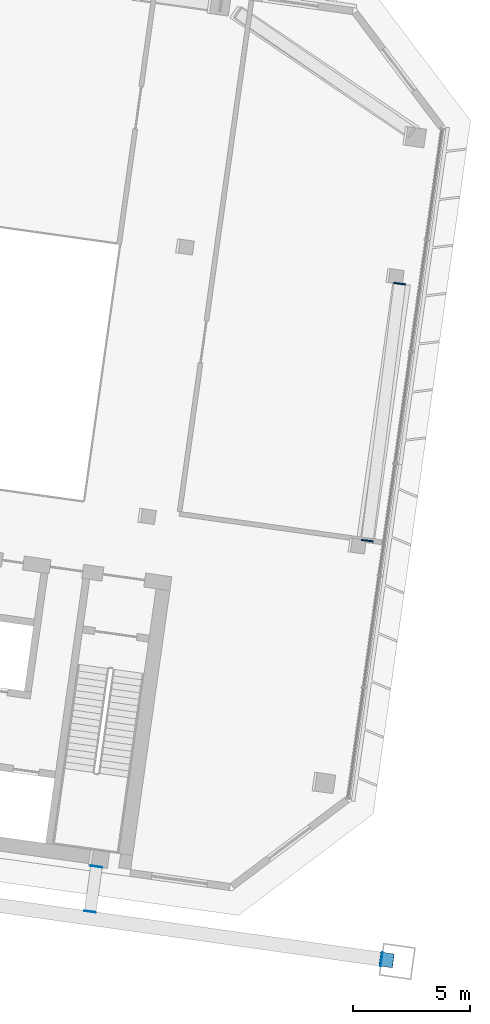
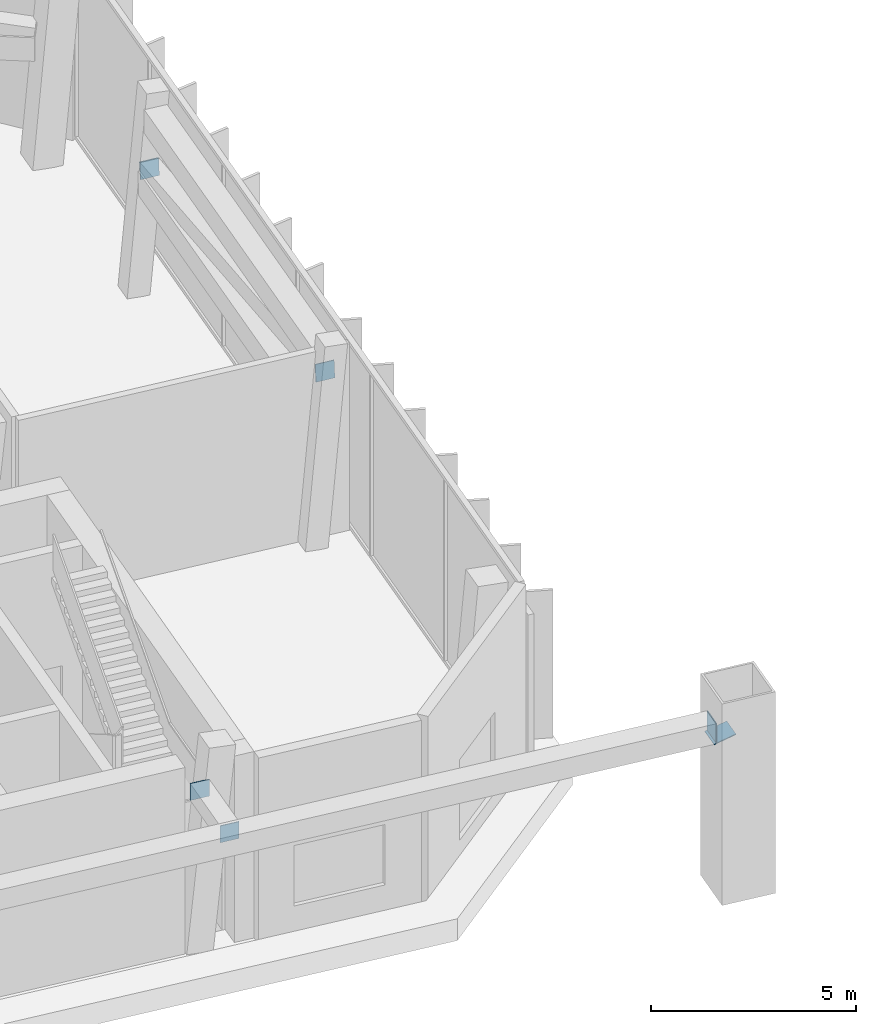
# One storey, part 21 of 29: 6 discrete accessories.
"""IFC4 building model written with IfcOpenShell, lengths in metres."""

from ifc_helpers import new_model, si_unit, direction, frame, origin, origin_2d, place, context, subcontext, project, spatial, rectangle, extrude, material, material_profile, profile_set, type_object, element, save


model = new_model("IFC4")

# Units and contexts
model_context = context("Model", 3, precision=1e-05, world=origin(), true_north=direction((0.0, 1.0)))
body_context = subcontext(model_context, "Body", "Model", "MODEL_VIEW")
ifc_project = project(units=[si_unit("LENGTHUNIT", "METRE"), si_unit("AREAUNIT", "SQUARE_METRE"), si_unit("VOLUMEUNIT", "CUBIC_METRE"), si_unit("PLANEANGLEUNIT", "RADIAN"), si_unit("MASSUNIT", "GRAM", prefix="KILO")], contexts=[model_context])

# Site, building, storey
site_placement = place(None, origin())
site = spatial("IfcSite", under=ifc_project, at=site_placement, CompositionType="ELEMENT")
building_placement = place(site_placement, origin())
building = spatial("IfcBuilding", under=site, at=building_placement, Name="Mirante Cascada Hotel Towers", CompositionType="ELEMENT")
storey_placement = place(building_placement, frame((0.0, 0.0, 210.6)))
storey = spatial("IfcBuildingStorey", under=building, at=storey_placement, Name="L50", CompositionType="ELEMENT", Elevation=210.6)

# Discrete accessories
ifc_material_1 = material(Name="Steel ASTM A572 Gr 50", Category="steel")
ifc_material_profile_1 = material_profile(ifc_material_1, rectangle(XDim=0.5, YDim=0.5, at=origin_2d()), Name="Connection plate 500x500x25 ASTM A572 Gr 50")
ifc_profile_set_1 = profile_set([ifc_material_profile_1], Name="Steel ASTM A572 Gr 50")
discrete_accessory_type_1 = type_object("IfcDiscreteAccessoryType", Name="Connection plate 500x500x25 ASTM A572 Gr 50", PredefinedType="BRACKET", material=ifc_profile_set_1)
for number, where, z_axis, x_axis, name in (
    (1, (-27.2735, -5.8494, 4.8512), (0.1278885, 0.9871396, -0.0959164), (-0.991712, 0.1284809, 0.0), "Connection plate BT50D"),
    (2, (-25.8909, 5.1048, 3.7512), (0.1278885, 0.9871396, -0.0959164), (-0.991712, 0.1284809, 0.0), "Connection plate BT50D"),
    (3, (-38.8146, -19.7131, 4.85), (-0.1358263, -0.9907327, 0.0), (0.9907327, -0.1358263, 0.0), "Connection plate TIE"),
):
    element("IfcDiscreteAccessory", number, at=place(storey_placement, frame(where, z_axis=z_axis, x_axis=x_axis)), inside=storey, type_object=discrete_accessory_type_1, Name=name, PredefinedType="BRACKET", context=body_context, shape_type="SweptSolid", body=[
        extrude(rectangle(XDim=0.5, YDim=0.5, at=origin_2d()), origin(), (0.0, 0.0, 1.0), 0.025),
    ])
discrete_accessory_placement = place(storey_placement, frame((-39.0846, -21.6343, 4.85), z_axis=(-0.136366, -0.9906585, 0.0), x_axis=(0.9906585, -0.136366, 0.0)))
element("IfcDiscreteAccessory", 4, at=discrete_accessory_placement, inside=storey, type_object=discrete_accessory_type_1, Name="Connection plate TIE", PredefinedType="BRACKET", context=body_context, shape_type="SweptSolid", body=[
    extrude(rectangle(XDim=0.5, YDim=0.5, at=origin_2d()), origin(), (0.0, 0.0, 1.0), 0.0249),
])
ifc_material_2 = material(Name="Steel ASTM A572 Gr 50", Category="steel")
ifc_material_profile_2 = material_profile(ifc_material_2, rectangle(XDim=0.6, YDim=0.6, at=origin_2d()), Name="Connection plate 600x600x25 ASTM A572 Gr 50")
ifc_profile_set_2 = profile_set([ifc_material_profile_2], Name="Steel ASTM A572 Gr 50")
discrete_accessory_type_2 = type_object("IfcDiscreteAccessoryType", Name="Connection plate 600x600x25 ASTM A572 Gr 50", PredefinedType="BRACKET", material=ifc_profile_set_2)
for number, where, z_axis, x_axis, name in (
    (5, (-26.4478, -23.7056, 4.6096), (-0.2555079, 0.0359308, 0.9661391), (-0.1392548, -0.9902566, 0.0), "Connection plate MB-RL50L"),
    (6, (-26.6561, -23.6763, 4.85), (-0.9901876, 0.1397442, 0.0), (-0.1397442, -0.9901876, 0.0), "Connection plate NCH"),
):
    element("IfcDiscreteAccessory", number, at=place(storey_placement, frame(where, z_axis=z_axis, x_axis=x_axis)), inside=storey, type_object=discrete_accessory_type_2, Name=name, PredefinedType="BRACKET", context=body_context, shape_type="SweptSolid", body=[
        extrude(rectangle(XDim=0.6, YDim=0.6, at=origin_2d()), origin(), (0.0, 0.0, 1.0), 0.025),
    ])

save(model, "model.ifc")
